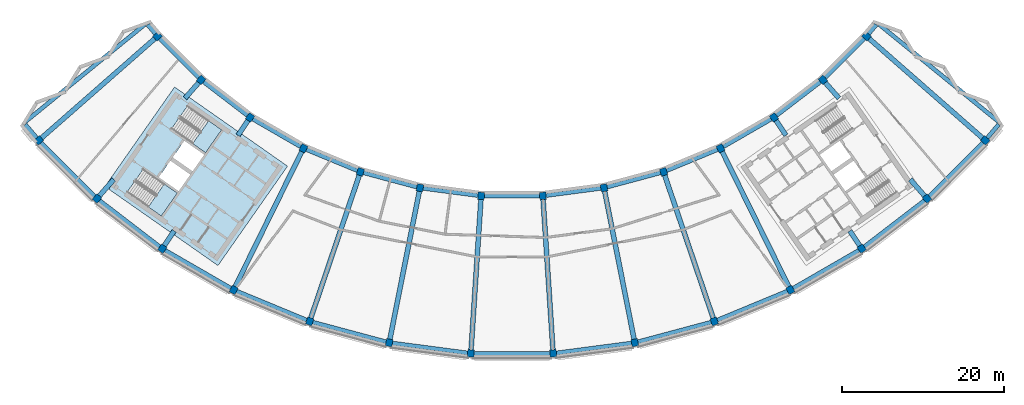
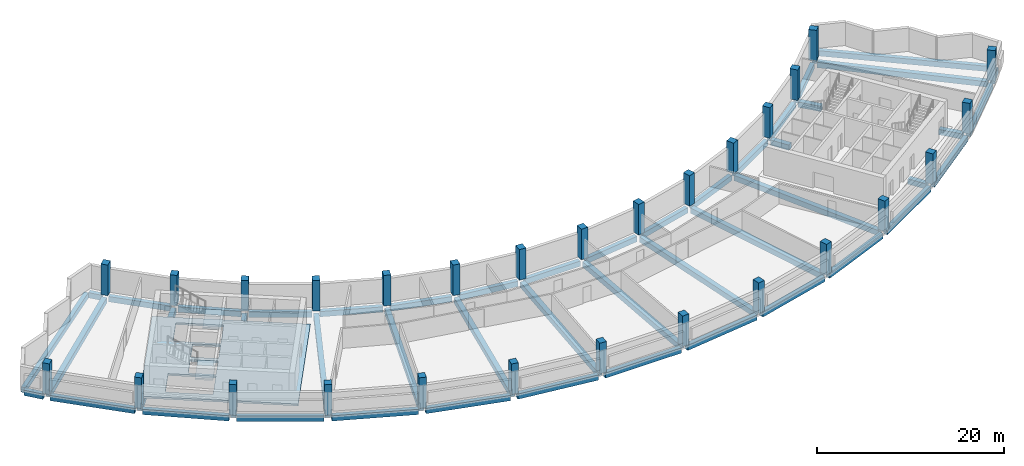
# One storey, part 1 of 11: 50 beams, 28 columns, 3 slabs, 2 elements without a shape of their own.
"""IFC4 building model written with IfcOpenShell, lengths in metres."""

from ifc_helpers import new_model, si_unit, direction, frame, origin, origin_2d, place, context, subcontext, project, spatial, polyline, rectangle, outline, extrude, material, layer, layer_set, material_profile, profile_set, type_object, element, aggregate, save


model = new_model("IFC4")

# Units and contexts
model_context = context("Model", 3, precision=1e-05, world=origin(), true_north=direction((0.0, 1.0)))
body_context = subcontext(model_context, "Body", "Model", "MODEL_VIEW")
ifc_project = project(units=[si_unit("LENGTHUNIT", "METRE"), si_unit("AREAUNIT", "SQUARE_METRE"), si_unit("VOLUMEUNIT", "CUBIC_METRE"), si_unit("PLANEANGLEUNIT", "RADIAN"), si_unit("MASSUNIT", "GRAM", prefix="KILO")], contexts=[model_context])

# Site, building, storey
site_placement = place(None, origin())
site = spatial("IfcSite", under=ifc_project, at=site_placement, CompositionType="ELEMENT")
building_placement = place(site_placement, origin())
building = spatial("IfcBuilding", under=site, at=building_placement, Name="Qamariyya Broadcast Tower", CompositionType="ELEMENT")
storey_placement = place(building_placement, frame((0.0, 0.0, 306.699951171875)))
storey = spatial("IfcBuildingStorey", under=building, at=storey_placement, Name="L74", CompositionType="ELEMENT", Elevation=306.699951171875)

# Columns
ifc_material_1 = material(Name="Concrete C50/60", Category="concrete")
ifc_material_profile_1 = material_profile(ifc_material_1, rectangle(XDim=0.800048828125, YDim=0.89990234375, at=origin_2d()))
ifc_profile_set_1 = profile_set([ifc_material_profile_1], Name="Concrete C50/60")
column_type = type_object("IfcColumnType", Name="RC column 800 x 900 C50/60", PredefinedType="COLUMN", material=ifc_profile_set_1)
for number, where, z_axis, x_axis, name in (
    (1, (-43.794677734375, -38.406982421875, 0.0), (0.0, 0.0, 1.0), (0.6593458151, -0.751839807479, 0.0), "Column C13 L74 B-R04"),
    (2, (-58.45556640625, -51.26416015625, 0.0), (0.0, 0.0, 1.0), (0.6593458151, -0.751839807479, 0.0), "Column C13 L74 C-R04"),
    (3, (-38.406982421875, -43.794677734375, 0.0), (0.0, 0.0, 1.0), (0.751839807479, -0.6593458151, 0.0), "Column C13 L74 B-R05"),
    (4, (-51.26416015625, -58.45556640625, 0.0), (0.0, 0.0, 1.0), (0.751839807479, -0.6593458151, 0.0), "Column C13 L74 C-R05"),
    (5, (-32.362060546875, -48.43310546875, 0.0), (0.0, 0.0, 1.0), (0.831469612303, -0.55557023302, 0.0), "Column C13 L74 B-R06"),
    (6, (-43.195556640625, -64.646728515625, 0.0), (0.0, 0.0, 1.0), (0.831469612303, -0.55557023302, 0.0), "Column C13 L74 C-R06"),
    (7, (-25.763427734375, -52.242919921875, 0.0), (0.0, 0.0, 1.0), (0.896872741533, -0.442288690219, 0.0), "Column C13 L74 B-R07"),
    (8, (-34.387939453125, -69.73193359375, 0.0), (0.0, 0.0, 1.0), (0.896872741533, -0.442288690219, 0.0), "Column C13 L74 C-R07"),
    (9, (-18.723876953125, -55.15869140625, 0.0), (0.0, 0.0, 1.0), (0.946930129495, -0.321439465303, 0.0), "Column C13 L74 B-R08"),
    (10, (-24.991943359375, -73.623779296875, 0.0), (0.0, 0.0, 1.0), (0.946930129495, -0.321439465303, 0.0), "Column C13 L74 C-R08"),
    (11, (-11.364013671875, -57.130859375, 0.0), (0.0, 0.0, 1.0), (0.980785280403, -0.195090322016, 0.0), "Column C13 L74 B-R09"),
    (12, (-15.168212890625, -76.256103515625, 0.0), (0.0, 0.0, 1.0), (0.980785280403, -0.195090322016, 0.0), "Column C13 L74 C-R09"),
    (13, (-3.809814453125, -58.125244140625, 0.0), (0.0, 0.0, 1.0), (0.997858923239, -0.06540312923, 0.0), "Column C13 L74 B-R10"),
    (14, (-5.085205078125, -77.58349609375, 0.0), (0.0, 0.0, 1.0), (0.997858923239, -0.06540312923, 0.0), "Column C13 L74 C-R10"),
    (15, (3.809814453125, -58.125244140625, 0.0), (0.0, 0.0, 1.0), (0.997858923239, 0.06540312923, 0.0), "Column C13 L74 B-R11"),
    (16, (5.085205078125, -77.58349609375, 0.0), (0.0, 0.0, 1.0), (0.997858923239, 0.06540312923, 0.0), "Column C13 L74 C-R11"),
    (17, (11.364013671875, -57.130859375, 0.0), (0.0, 0.0, 1.0), (0.980785280403, 0.195090322016, 0.0), "Column C13 L74 B-R12"),
    (18, (15.168212890625, -76.256103515625, 0.0), (0.0, 0.0, 1.0), (0.980785280403, 0.195090322016, 0.0), "Column C13 L74 C-R12"),
    (19, (18.723876953125, -55.15869140625, 0.0), (0.0, 0.0, 1.0), (0.946930129495, 0.321439465303, 0.0), "Column C13 L74 B-R13"),
    (20, (24.991943359375, -73.623779296875, 0.0), (0.0, 0.0, 1.0), (0.946930129495, 0.321439465303, 0.0), "Column C13 L74 C-R13"),
    (21, (25.763427734375, -52.242919921875, 0.0), (0.0, 0.0, 1.0), (0.896872741533, 0.442288690219, 0.0), "Column C13 L74 B-R14"),
    (22, (34.387939453125, -69.73193359375, 0.0), (0.0, 0.0, 1.0), (0.896872741533, 0.442288690219, 0.0), "Column C13 L74 C-R14"),
    (23, (32.362060546875, -48.43310546875, 0.0), (0.0, 0.0, 1.0), (0.831469612303, 0.55557023302, 0.0), "Column C13 L74 B-R15"),
    (24, (43.195556640625, -64.646728515625, 0.0), (0.0, 0.0, 1.0), (0.831469612303, 0.55557023302, 0.0), "Column C13 L74 C-R15"),
    (25, (38.406982421875, -43.794677734375, 0.0), (0.0, 0.0, 1.0), (0.751839807479, 0.6593458151, 0.0), "Column C13 L74 B-R16"),
    (26, (51.26416015625, -58.45556640625, 0.0), (0.0, 0.0, 1.0), (0.751839807479, 0.6593458151, 0.0), "Column C13 L74 C-R16"),
    (27, (43.794677734375, -38.406982421875, 0.0), (0.0, 0.0, 1.0), (0.6593458151, 0.751839807479, 0.0), "Column C13 L74 B-R17"),
    (28, (58.45556640625, -51.26416015625, 0.0), (0.0, 0.0, 1.0), (0.6593458151, 0.751839807479, 0.0), "Column C13 L74 C-R17"),
):
    element("IfcColumn", number, at=place(storey_placement, frame(where, z_axis=z_axis, x_axis=x_axis)), inside=storey, type_object=column_type, Name=name, PredefinedType="COLUMN", context=body_context, shape_type="SweptSolid", body=[
        extrude(rectangle(XDim=0.800048828125, YDim=0.89990234375, at=origin_2d()), origin(), (0.0, 0.0, 1.0), 4.0),
    ])

# Beams
ifc_material_2 = material(Name="Concrete C40/50", Category="concrete")
ifc_material_profile_2 = material_profile(ifc_material_2, rectangle(XDim=0.5, YDim=0.699951171875, at=origin_2d()))
ifc_profile_set_2 = profile_set([ifc_material_profile_2], Name="Concrete C40/50")
beam_type_1 = type_object("IfcBeamType", Name="RC edge beam 500 x 700 C40/50", PredefinedType="SPANDREL", material=ifc_profile_set_2)
beam_1_placement = place(storey_placement, frame((-43.51123046875, -38.6904296875, -0.599853515625), z_axis=(0.707106781187, -0.707106781187, 0.0), x_axis=(0.707106781187, 0.707106781187, 0.0)))
element("IfcBeam", 29, at=beam_1_placement, inside=storey, type_object=beam_type_1, Name="Edge beam B32 L74 B R04-R05", PredefinedType="SPANDREL", context=body_context, shape_type="SweptSolid", body=[
    extrude(rectangle(XDim=0.5, YDim=0.699951171875, at=origin_2d()), origin(), (0.0, 0.0, 1.0), 6.817626953125),
])
for number, where, z_axis, x_axis, name in (
    (30, (-38.0888671875, -44.03857421875, -0.599853515625), (0.793355578527, -0.608758512072, 0.0), (0.608758512072, 0.793355578527, 0.0), "Edge beam B32 L74 B R05-R06"),
    (31, (-32.014892578125, -48.633544921875, -0.599853515625), (0.866028756998, -0.499994192018, 0.0), (0.499994192018, 0.866028756998, 0.0), "Edge beam B32 L74 B R06-R07"),
    (32, (-25.39306640625, -52.396240234375, -0.599853515625), (0.923875859791, -0.382692298976, 0.0), (0.382692298976, 0.923875859791, 0.0), "Edge beam B32 L74 B R07-R08"),
    (33, (-18.336669921875, -55.262451171875, -0.599853515625), (0.965922796001, -0.258830354026, 0.0), (0.258830354026, 0.965922796001, 0.0), "Edge beam B32 L74 B R08-R09"),
):
    element("IfcBeam", number, at=place(storey_placement, frame(where, z_axis=z_axis, x_axis=x_axis)), inside=storey, type_object=beam_type_1, Name=name, PredefinedType="SPANDREL", context=body_context, shape_type="SweptSolid", body=[
        extrude(rectangle(XDim=0.5, YDim=0.699951171875, at=origin_2d()), origin(), (0.0, 0.0, 1.0), 6.81787109375),
    ])
beam_2_placement = place(storey_placement, frame((-10.966552734375, -57.18310546875, -0.599853515625), z_axis=(0.991444541835, -0.130528619338, 0.0), x_axis=(0.130528619338, 0.991444541835, 0.0)))
element("IfcBeam", 34, at=beam_2_placement, inside=storey, type_object=beam_type_1, Name="Edge beam B32 L74 B R09-R10", PredefinedType="SPANDREL", context=body_context, shape_type="SweptSolid", body=[
    extrude(rectangle(XDim=0.5, YDim=0.699951171875, at=origin_2d()), origin(), (0.0, 0.0, 1.0), 6.817626953125),
])
beam_3_placement = place(storey_placement, frame((-3.408935546875, -58.125244140625, -0.599853515625), z_axis=(1.0, 0.0, 0.0), x_axis=(0.0, 1.0, 0.0)))
element("IfcBeam", 35, at=beam_3_placement, inside=storey, type_object=beam_type_1, Name="Edge beam B32 L74 B R10-R11", PredefinedType="SPANDREL", context=body_context, shape_type="SweptSolid", body=[
    extrude(rectangle(XDim=0.5, YDim=0.699951171875, at=origin_2d()), origin(), (0.0, 0.0, 1.0), 6.81787109375),
])
beam_4_placement = place(storey_placement, frame((4.207275390625, -58.072998046875, -0.599853515625), z_axis=(0.991444541835, 0.130528619338, 0.0), x_axis=(-0.130528619338, 0.991444541835, 0.0)))
element("IfcBeam", 36, at=beam_4_placement, inside=storey, type_object=beam_type_1, Name="Edge beam B32 L74 B R11-R12", PredefinedType="SPANDREL", context=body_context, shape_type="SweptSolid", body=[
    extrude(rectangle(XDim=0.5, YDim=0.699951171875, at=origin_2d()), origin(), (0.0, 0.0, 1.0), 6.817626953125),
])
for number, where, z_axis, x_axis, name in (
    (37, (11.751220703125, -57.027099609375, -0.599853515625), (0.965922796001, 0.258830354026, 0.0), (-0.258830354026, 0.965922796001, 0.0), "Edge beam B32 L74 B R12-R13"),
    (38, (19.09423828125, -55.00537109375, -0.599853515625), (0.923875859791, 0.382692298976, 0.0), (-0.382692298976, 0.923875859791, 0.0), "Edge beam B32 L74 B R13-R14"),
    (39, (26.1103515625, -52.04248046875, -0.599853515625), (0.866028756998, 0.499994192018, 0.0), (-0.499994192018, 0.866028756998, 0.0), "Edge beam B32 L74 B R14-R15"),
    (40, (32.679931640625, -48.18896484375, -0.599853515625), (0.793355578527, 0.608758512072, 0.0), (-0.608758512072, 0.793355578527, 0.0), "Edge beam B32 L74 B R15-R16"),
):
    element("IfcBeam", number, at=place(storey_placement, frame(where, z_axis=z_axis, x_axis=x_axis)), inside=storey, type_object=beam_type_1, Name=name, PredefinedType="SPANDREL", context=body_context, shape_type="SweptSolid", body=[
        extrude(rectangle(XDim=0.5, YDim=0.699951171875, at=origin_2d()), origin(), (0.0, 0.0, 1.0), 6.81787109375),
    ])
beam_5_placement = place(storey_placement, frame((38.6904296875, -43.51123046875, -0.599853515625), z_axis=(0.707106781187, 0.707106781187, 0.0), x_axis=(-0.707106781187, 0.707106781187, 0.0)))
element("IfcBeam", 41, at=beam_5_placement, inside=storey, type_object=beam_type_1, Name="Edge beam B32 L74 B R16-R17", PredefinedType="SPANDREL", context=body_context, shape_type="SweptSolid", body=[
    extrude(rectangle(XDim=0.5, YDim=0.699951171875, at=origin_2d()), origin(), (0.0, 0.0, 1.0), 6.817626953125),
])
for number, where, z_axis, x_axis, name in (
    (42, (-58.172119140625, -51.547607421875, -0.599853515625), (0.707106781187, -0.707106781187, 0.0), (0.707106781187, 0.707106781187, 0.0), "Edge beam B32 L74 C R04-R05"),
    (43, (-50.946044921875, -58.699462890625, -0.599853515625), (0.793337425087, -0.608782169545, 0.0), (0.608782169545, 0.793337425087, 0.0), "Edge beam B32 L74 C R05-R06"),
    (44, (-42.848388671875, -64.84716796875, -0.599853515625), (0.866019808396, -0.500009691372, 0.0), (0.500009691372, 0.866019808396, 0.0), "Edge beam B32 L74 C R06-R07"),
    (45, (-34.017578125, -69.88525390625, -0.599853515625), (0.923876761165, -0.382690122919, 0.0), (0.382690122919, 0.923876761165, 0.0), "Edge beam B32 L74 C R07-R08"),
):
    element("IfcBeam", number, at=place(storey_placement, frame(where, z_axis=z_axis, x_axis=x_axis)), inside=storey, type_object=beam_type_1, Name=name, PredefinedType="SPANDREL", context=body_context, shape_type="SweptSolid", body=[
        extrude(rectangle(XDim=0.5, YDim=0.699951171875, at=origin_2d()), origin(), (0.0, 0.0, 1.0), 9.368408203125),
    ])
beam_6_placement = place(storey_placement, frame((-24.604736328125, -73.7275390625, -0.599853515625), z_axis=(0.965924554352, -0.258823791988, 0.0), x_axis=(0.258823791988, 0.965924554352, 0.0)))
element("IfcBeam", 46, at=beam_6_placement, inside=storey, type_object=beam_type_1, Name="Edge beam B32 L74 C R08-R09", PredefinedType="SPANDREL", context=body_context, shape_type="SweptSolid", body=[
    extrude(rectangle(XDim=0.5, YDim=0.699951171875, at=origin_2d()), origin(), (0.0, 0.0, 1.0), 9.36865234375),
])
beam_7_placement = place(storey_placement, frame((-14.770751953125, -76.308349609375, -0.599853515625), z_axis=(0.991443914621, -0.130533383318, 0.0), x_axis=(0.130533383318, 0.991443914621, 0.0)))
element("IfcBeam", 47, at=beam_7_placement, inside=storey, type_object=beam_type_1, Name="Edge beam B32 L74 C R09-R10", PredefinedType="SPANDREL", context=body_context, shape_type="SweptSolid", body=[
    extrude(rectangle(XDim=0.5, YDim=0.699951171875, at=origin_2d()), origin(), (0.0, 0.0, 1.0), 9.368408203125),
])
beam_8_placement = place(storey_placement, frame((-4.684326171875, -77.58349609375, -0.599853515625), z_axis=(1.0, 0.0, 0.0), x_axis=(0.0, 1.0, 0.0)))
element("IfcBeam", 48, at=beam_8_placement, inside=storey, type_object=beam_type_1, Name="Edge beam B32 L74 C R10-R11", PredefinedType="SPANDREL", context=body_context, shape_type="SweptSolid", body=[
    extrude(rectangle(XDim=0.5, YDim=0.699951171875, at=origin_2d()), origin(), (0.0, 0.0, 1.0), 9.36865234375),
])
beam_9_placement = place(storey_placement, frame((5.482421875, -77.53125, -0.599853515625), z_axis=(0.991443914621, 0.130533383318, 0.0), x_axis=(-0.130533383318, 0.991443914621, 0.0)))
element("IfcBeam", 49, at=beam_9_placement, inside=storey, type_object=beam_type_1, Name="Edge beam B32 L74 C R11-R12", PredefinedType="SPANDREL", context=body_context, shape_type="SweptSolid", body=[
    extrude(rectangle(XDim=0.5, YDim=0.699951171875, at=origin_2d()), origin(), (0.0, 0.0, 1.0), 9.368408203125),
])
beam_10_placement = place(storey_placement, frame((15.555419921875, -76.15234375, -0.599853515625), z_axis=(0.965924554352, 0.258823791988, 0.0), x_axis=(-0.258823791988, 0.965924554352, 0.0)))
element("IfcBeam", 50, at=beam_10_placement, inside=storey, type_object=beam_type_1, Name="Edge beam B32 L74 C R12-R13", PredefinedType="SPANDREL", context=body_context, shape_type="SweptSolid", body=[
    extrude(rectangle(XDim=0.5, YDim=0.699951171875, at=origin_2d()), origin(), (0.0, 0.0, 1.0), 9.36865234375),
])
for number, where, z_axis, x_axis, name in (
    (51, (25.3623046875, -73.470458984375, -0.599853515625), (0.923876761165, 0.382690122919, 0.0), (-0.382690122919, 0.923876761165, 0.0), "Edge beam B32 L74 C R13-R14"),
    (52, (34.735107421875, -69.531494140625, -0.599853515625), (0.866019808396, 0.500009691372, 0.0), (-0.500009691372, 0.866019808396, 0.0), "Edge beam B32 L74 C R14-R15"),
    (53, (43.513671875, -64.40283203125, -0.599853515625), (0.793337425087, 0.608782169545, 0.0), (-0.608782169545, 0.793337425087, 0.0), "Edge beam B32 L74 C R15-R16"),
    (54, (51.547607421875, -58.172119140625, -0.599853515625), (0.707106781187, 0.707106781187, 0.0), (-0.707106781187, 0.707106781187, 0.0), "Edge beam B32 L74 C R16-R17"),
):
    element("IfcBeam", number, at=place(storey_placement, frame(where, z_axis=z_axis, x_axis=x_axis)), inside=storey, type_object=beam_type_1, Name=name, PredefinedType="SPANDREL", context=body_context, shape_type="SweptSolid", body=[
        extrude(rectangle(XDim=0.5, YDim=0.699951171875, at=origin_2d()), origin(), (0.0, 0.0, 1.0), 9.368408203125),
    ])
ifc_material_profile_3 = material_profile(ifc_material_2, rectangle(XDim=0.5, YDim=0.699951171875, at=origin_2d()))
ifc_profile_set_3 = profile_set([ifc_material_profile_3], Name="Concrete C40/50")
beam_type_2 = type_object("IfcBeamType", Name="RC horn beam 500 x 700 C40/50", PredefinedType="BEAM", material=ifc_profile_set_3)
beam_11_placement = place(storey_placement, frame((-44.052978515625, -38.101318359375, -0.599853515625), z_axis=(-0.645562267298, 0.763707639769, 0.0), x_axis=(-0.763707639769, -0.645562267298, 0.0)))
element("IfcBeam", 55, at=beam_11_placement, inside=storey, type_object=beam_type_2, Name="Horn beam B33 L74 W B-R04", PredefinedType="BEAM", context=body_context, shape_type="SweptSolid", body=[
    extrude(rectangle(XDim=0.5, YDim=0.699951171875, at=origin_2d()), origin(), (0.0, 0.0, 1.0), 1.46923828125),
])
beam_12_placement = place(storey_placement, frame((-58.7138671875, -50.95849609375, -0.599853515625), z_axis=(-0.645580484074, 0.763692240751, 0.0), x_axis=(-0.763692240751, -0.645580484074, 0.0)))
element("IfcBeam", 56, at=beam_12_placement, inside=storey, type_object=beam_type_2, Name="Horn beam B33 L74 W C-R04", PredefinedType="BEAM", context=body_context, shape_type="SweptSolid", body=[
    extrude(rectangle(XDim=0.5, YDim=0.699951171875, at=origin_2d()), origin(), (0.0, 0.0, 1.0), 2.1787109375),
])
beam_13_placement = place(storey_placement, frame((44.052978515625, -38.101318359375, -0.599853515625), z_axis=(0.645562267298, 0.763707639769, 0.0), x_axis=(-0.763707639769, 0.645562267298, 0.0)))
element("IfcBeam", 57, at=beam_13_placement, inside=storey, type_object=beam_type_2, Name="Horn beam B33 L74 E B-R17", PredefinedType="BEAM", context=body_context, shape_type="SweptSolid", body=[
    extrude(rectangle(XDim=0.5, YDim=0.699951171875, at=origin_2d()), origin(), (0.0, 0.0, 1.0), 1.46923828125),
])
beam_14_placement = place(storey_placement, frame((58.7138671875, -50.95849609375, -0.599853515625), z_axis=(0.645580484074, 0.763692240751, 0.0), x_axis=(-0.763692240751, 0.645580484074, 0.0)))
element("IfcBeam", 58, at=beam_14_placement, inside=storey, type_object=beam_type_2, Name="Horn beam B33 L74 E C-R17", PredefinedType="BEAM", context=body_context, shape_type="SweptSolid", body=[
    extrude(rectangle(XDim=0.5, YDim=0.699951171875, at=origin_2d()), origin(), (0.0, 0.0, 1.0), 2.1787109375),
])
ifc_material_profile_4 = material_profile(ifc_material_2, rectangle(XDim=0.5, YDim=0.699951171875, at=origin_2d()))
ifc_profile_set_4 = profile_set([ifc_material_profile_4], Name="Concrete C40/50")
beam_type_3 = type_object("IfcBeamType", Name="RC horn cap beam 500 x 700 C40/50", PredefinedType="BEAM", material=ifc_profile_set_4)
for number, where, z_axis, x_axis, name in (
    (59, (-45.356689453125, -36.9462890625, -0.599853515625), (-0.775330061416, -0.631556249169, 0.0), (0.631556249169, -0.775330061416, 0.0), "Horn cap beam B21 L74 W B-C"),
    (60, (45.356689453125, -36.9462890625, -0.599853515625), (0.775330061416, -0.631556249169, 0.0), (0.631556249169, 0.775330061416, 0.0), "Horn cap beam B21 L74 E B-C"),
):
    element("IfcBeam", number, at=place(storey_placement, frame(where, z_axis=z_axis, x_axis=x_axis)), inside=storey, type_object=beam_type_3, Name=name, PredefinedType="BEAM", context=body_context, shape_type="SweptSolid", body=[
        extrude(rectangle(XDim=0.5, YDim=0.699951171875, at=origin_2d()), origin(), (0.0, 0.0, 1.0), 19.0),
    ])
ifc_material_profile_5 = material_profile(ifc_material_2, rectangle(XDim=0.60009765625, YDim=0.699951171875, at=origin_2d()))
ifc_profile_set_5 = profile_set([ifc_material_profile_5], Name="Concrete C40/50")
beam_type_4 = type_object("IfcBeamType", Name="RC radial beam 600 x 700 C40/50", PredefinedType="BEAM", material=ifc_profile_set_5)
beam_15_placement = place(storey_placement, frame((-44.133056640625, -38.70361328125, -0.599853515625), z_axis=(-0.751835479309, -0.659350750399, 0.0), x_axis=(0.659350750399, -0.751835479309, 0.0)))
element("IfcBeam", 61, at=beam_15_placement, inside=storey, type_object=beam_type_4, Name="Radial beam B31 L74 R04 B-C", PredefinedType="BEAM", context=body_context, shape_type="SweptSolid", body=[
    extrude(rectangle(XDim=0.60009765625, YDim=0.699951171875, at=origin_2d()), origin(), (0.0, 0.0, 1.0), 18.60009765625),
])
beam_16_placement = place(storey_placement, frame((-38.70361328125, -44.133056640625, -0.599853515625), z_axis=(-0.65936701245, -0.751821217373, 0.0), x_axis=(0.751821217373, -0.65936701245, 0.0)))
element("IfcBeam", 62, at=beam_16_placement, inside=storey, type_object=beam_type_4, Name="Radial beam B31 L74 R05 B-C", PredefinedType="BEAM", context=body_context, shape_type="SweptSolid", body=[
    extrude(rectangle(XDim=0.60009765625, YDim=0.699951171875, at=origin_2d()), origin(), (0.0, 0.0, 1.0), 2.56396484375),
])
beam_17_placement = place(storey_placement, frame((-49.1943359375, -56.095458984375, -0.599853515625), z_axis=(-0.659384708976, -0.751805696686, 0.0), x_axis=(0.751805696686, -0.659384708976, 0.0)))
element("IfcBeam", 63, at=beam_17_placement, inside=storey, type_object=beam_type_4, Name="Radial beam B31 L74 R05 B-C", PredefinedType="BEAM", context=body_context, shape_type="SweptSolid", body=[
    extrude(rectangle(XDim=0.60009765625, YDim=0.699951171875, at=origin_2d()), origin(), (0.0, 0.0, 1.0), 2.689208984375),
])
beam_18_placement = place(storey_placement, frame((-32.612060546875, -48.807373046875, -0.599853515625), z_axis=(-0.555590424473, -0.83145612045, 0.0), x_axis=(0.83145612045, -0.555590424473, 0.0)))
element("IfcBeam", 64, at=beam_18_placement, inside=storey, type_object=beam_type_4, Name="Radial beam B31 L74 R06 B-C", PredefinedType="BEAM", context=body_context, shape_type="SweptSolid", body=[
    extrude(rectangle(XDim=0.60009765625, YDim=0.699951171875, at=origin_2d()), origin(), (0.0, 0.0, 1.0), 2.21435546875),
])
beam_19_placement = place(storey_placement, frame((-41.733154296875, -62.458251953125, -0.599853515625), z_axis=(-0.555577686168, -0.83146463222, 0.0), x_axis=(0.83146463222, -0.555577686168, 0.0)))
element("IfcBeam", 65, at=beam_19_placement, inside=storey, type_object=beam_type_4, Name="Radial beam B31 L74 R06 B-C", PredefinedType="BEAM", context=body_context, shape_type="SweptSolid", body=[
    extrude(rectangle(XDim=0.60009765625, YDim=0.699951171875, at=origin_2d()), origin(), (0.0, 0.0, 1.0), 2.18212890625),
])
for number, where, z_axis, x_axis, name in (
    (66, (-25.96240234375, -52.646484375, -0.599853515625), (-0.442287277377, -0.896873438268, 0.0), (0.896873438268, -0.442287277377, 0.0), "Radial beam B31 L74 R07 B-C"),
    (67, (-18.868408203125, -55.584716796875, -0.599853515625), (-0.321436539423, -0.946931122692, 0.0), (0.946931122692, -0.321436539423, 0.0), "Radial beam B31 L74 R08 B-C"),
    (68, (-11.451904296875, -57.572021484375, -0.599853515625), (-0.195088681676, -0.980785606686, 0.0), (0.980785606686, -0.195088681676, 0.0), "Radial beam B31 L74 R09 B-C"),
    (69, (-3.839111328125, -58.57421875, -0.599853515625), (-0.065405603651, -0.997858761053, 0.0), (0.997858761053, -0.065405603651, 0.0), "Radial beam B31 L74 R10 B-C"),
    (70, (3.839111328125, -58.57421875, -0.599853515625), (0.065405603651, -0.997858761053, 0.0), (0.997858761053, 0.065405603651, 0.0), "Radial beam B31 L74 R11 B-C"),
    (71, (11.451904296875, -57.572021484375, -0.599853515625), (0.195088681676, -0.980785606686, 0.0), (0.980785606686, 0.195088681676, 0.0), "Radial beam B31 L74 R12 B-C"),
    (72, (18.868408203125, -55.584716796875, -0.599853515625), (0.321436539423, -0.946931122692, 0.0), (0.946931122692, 0.321436539423, 0.0), "Radial beam B31 L74 R13 B-C"),
    (73, (25.96240234375, -52.646484375, -0.599853515625), (0.442287277377, -0.896873438268, 0.0), (0.896873438268, 0.442287277377, 0.0), "Radial beam B31 L74 R14 B-C"),
):
    element("IfcBeam", number, at=place(storey_placement, frame(where, z_axis=z_axis, x_axis=x_axis)), inside=storey, type_object=beam_type_4, Name=name, PredefinedType="BEAM", context=body_context, shape_type="SweptSolid", body=[
        extrude(rectangle(XDim=0.60009765625, YDim=0.699951171875, at=origin_2d()), origin(), (0.0, 0.0, 1.0), 18.60009765625),
    ])
beam_20_placement = place(storey_placement, frame((32.612060546875, -48.807373046875, -0.599853515625), z_axis=(0.555590424473, -0.83145612045, 0.0), x_axis=(0.83145612045, 0.555590424473, 0.0)))
element("IfcBeam", 74, at=beam_20_placement, inside=storey, type_object=beam_type_4, Name="Radial beam B31 L74 R15 B-C", PredefinedType="BEAM", context=body_context, shape_type="SweptSolid", body=[
    extrude(rectangle(XDim=0.60009765625, YDim=0.699951171875, at=origin_2d()), origin(), (0.0, 0.0, 1.0), 2.21435546875),
])
beam_21_placement = place(storey_placement, frame((41.733154296875, -62.458251953125, -0.599853515625), z_axis=(0.555577686168, -0.83146463222, 0.0), x_axis=(0.83146463222, 0.555577686168, 0.0)))
element("IfcBeam", 75, at=beam_21_placement, inside=storey, type_object=beam_type_4, Name="Radial beam B31 L74 R15 B-C", PredefinedType="BEAM", context=body_context, shape_type="SweptSolid", body=[
    extrude(rectangle(XDim=0.60009765625, YDim=0.699951171875, at=origin_2d()), origin(), (0.0, 0.0, 1.0), 2.18212890625),
])
beam_22_placement = place(storey_placement, frame((38.70361328125, -44.133056640625, -0.599853515625), z_axis=(0.65936701245, -0.751821217373, 0.0), x_axis=(0.751821217373, 0.65936701245, 0.0)))
element("IfcBeam", 76, at=beam_22_placement, inside=storey, type_object=beam_type_4, Name="Radial beam B31 L74 R16 B-C", PredefinedType="BEAM", context=body_context, shape_type="SweptSolid", body=[
    extrude(rectangle(XDim=0.60009765625, YDim=0.699951171875, at=origin_2d()), origin(), (0.0, 0.0, 1.0), 2.56396484375),
])
beam_23_placement = place(storey_placement, frame((49.1943359375, -56.095458984375, -0.599853515625), z_axis=(0.659384708976, -0.751805696686, 0.0), x_axis=(0.751805696686, 0.659384708976, 0.0)))
element("IfcBeam", 77, at=beam_23_placement, inside=storey, type_object=beam_type_4, Name="Radial beam B31 L74 R16 B-C", PredefinedType="BEAM", context=body_context, shape_type="SweptSolid", body=[
    extrude(rectangle(XDim=0.60009765625, YDim=0.699951171875, at=origin_2d()), origin(), (0.0, 0.0, 1.0), 2.689208984375),
])
beam_24_placement = place(storey_placement, frame((44.133056640625, -38.70361328125, -0.599853515625), z_axis=(0.751835479309, -0.659350750399, 0.0), x_axis=(0.659350750399, 0.751835479309, 0.0)))
element("IfcBeam", 78, at=beam_24_placement, inside=storey, type_object=beam_type_4, Name="Radial beam B31 L74 R17 B-C", PredefinedType="BEAM", context=body_context, shape_type="SweptSolid", body=[
    extrude(rectangle(XDim=0.60009765625, YDim=0.699951171875, at=origin_2d()), origin(), (0.0, 0.0, 1.0), 18.60009765625),
])

# Slab
ifc_layer_1 = layer(ifc_material_2, 0.25)
ifc_layer_set_1 = layer_set([ifc_layer_1], Name="Core floor slab 250 mm Concrete C40/50")
slab_type_1 = type_object("IfcSlabType", Name="Core floor slab 250 mm Concrete C40/50", PredefinedType="FLOOR", material=ifc_layer_set_1)
slab_1_placement = place(storey_placement, frame((0.0, 0.0, -0.25)))
element("IfcSlab", 79, at=slab_1_placement, inside=storey, type_object=slab_type_1, Name="k-W-L74-slab", PredefinedType="FLOOR", context=body_context, shape_type="SweptSolid", body=[
    extrude(outline(polyline([(-50.286376953125, -56.95751953125), (-36.32373046875, -66.734375), (-27.719970703125, -54.447021484375), (-41.6826171875, -44.67041015625), (-50.286376953125, -56.95751953125)]), holes=[polyline([(-39.742431640625, -55.489990234375), (-42.199951171875, -53.769287109375), (-43.6337890625, -55.817138671875), (-41.17626953125, -57.537841796875), (-39.742431640625, -55.489990234375)]), polyline([(-39.45556640625, -55.080322265625), (-41.9130859375, -53.359619140625), (-40.47900390625, -51.311767578125), (-38.021728515625, -53.032470703125), (-39.45556640625, -55.080322265625)]), polyline([(-42.06103515625, -49.837890625), (-37.849609375, -52.78662109375), (-35.870849609375, -49.960693359375), (-40.082275390625, -47.01171875), (-42.06103515625, -49.837890625)]), polyline([(-47.538818359375, -57.66064453125), (-43.3271484375, -60.609619140625), (-41.348388671875, -57.783447265625), (-45.559814453125, -54.834716796875), (-47.538818359375, -57.66064453125)])]), origin(), (0.0, 0.0, 1.0), 0.25),
])

# Stair, slab
stair_type = type_object("IfcStairType", Name="Exit stair 24 risers of 167 mm", PredefinedType="HALF_TURN_STAIR", material=ifc_material_1)
stair_1_placement = place(storey_placement, origin())
stair_1 = element("IfcStair", 80, at=stair_1_placement, inside=storey, type_object=stair_type, Name="L74 Stair W2", PredefinedType="HALF_TURN_STAIR")
ifc_layer_2 = layer(ifc_material_1, 0.199951171875)
ifc_layer_set_2 = layer_set([ifc_layer_2], Name="Stair landing")
slab_type_2 = type_object("IfcSlabType", Name="Stair landing", PredefinedType="LANDING", material=ifc_layer_set_2)
slab_2_placement = place(storey_placement, frame((0.0, 0.0, 1.800048828125)))
slab_2 = element("IfcSlab", 81, at=slab_2_placement, type_object=slab_type_2, Name="ST-W2 landing 1", PredefinedType="LANDING", context=body_context, shape_type="SweptSolid", body=[
    extrude(outline(polyline([(-39.45458984375, -51.662841796875), (-37.849609375, -52.78662109375), (-35.870849609375, -49.960693359375), (-37.475830078125, -48.8369140625), (-39.45458984375, -51.662841796875)])), origin(), (0.0, 0.0, 1.0), 0.199951171875),
])
aggregate(stair_1, [slab_2])

stair_2_placement = place(storey_placement, origin())
stair_2 = element("IfcStair", 82, at=stair_2_placement, inside=storey, type_object=stair_type, Name="L74 Stair W1", PredefinedType="HALF_TURN_STAIR")
slab_3_placement = place(storey_placement, frame((0.0, 0.0, 1.800048828125)))
slab_3 = element("IfcSlab", 83, at=slab_3_placement, type_object=slab_type_2, Name="ST-W1 landing 1", PredefinedType="LANDING", context=body_context, shape_type="SweptSolid", body=[
    extrude(outline(polyline([(-44.93212890625, -59.48583984375), (-43.3271484375, -60.609619140625), (-41.348388671875, -57.783447265625), (-42.953369140625, -56.65966796875), (-44.93212890625, -59.48583984375)])), origin(), (0.0, 0.0, 1.0), 0.199951171875),
])
aggregate(stair_2, [slab_3])

save(model, "model.ifc")
